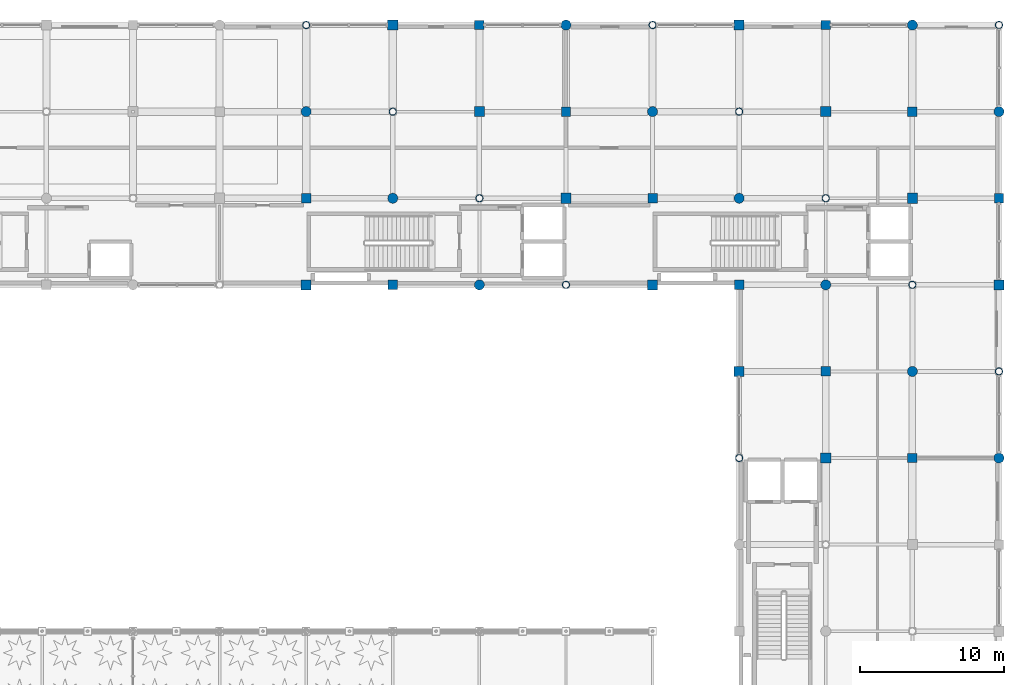
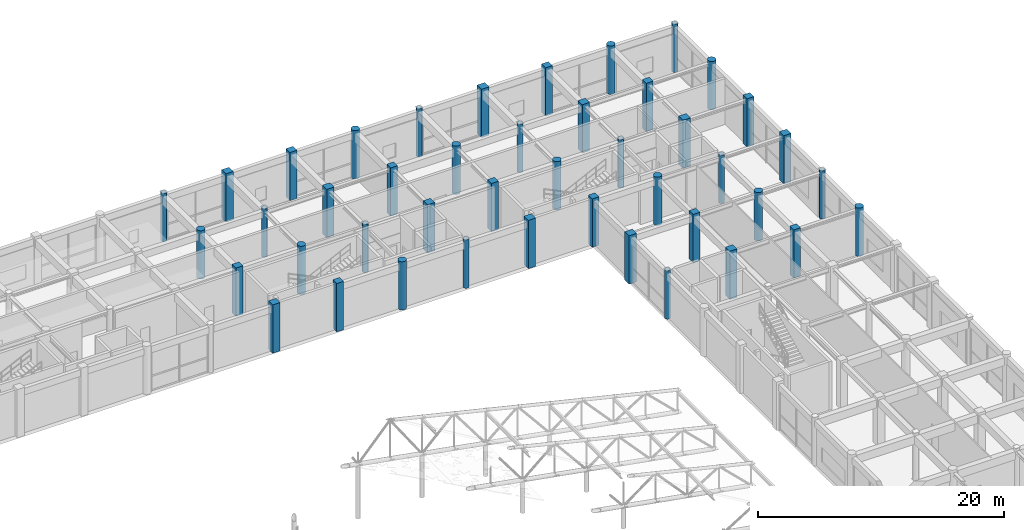
# One storey, part 15 of 112: 44 columns.
"""IFC4 building model written with IfcOpenShell, lengths in metres."""

from ifc_helpers import new_model, si_unit, direction, frame, origin, origin_2d, place, context, subcontext, project, spatial, rectangle, circle, hollow_circle, extrude, material, material_profile, profile_set, type_object, element, save


model = new_model("IFC4")

# Units and contexts
model_context = context("Model", 3, precision=1e-05, world=origin(), true_north=direction((0.0, 1.0)))
body_context = subcontext(model_context, "Body", "Model", "MODEL_VIEW")
ifc_project = project(units=[si_unit("LENGTHUNIT", "METRE"), si_unit("AREAUNIT", "SQUARE_METRE"), si_unit("VOLUMEUNIT", "CUBIC_METRE"), si_unit("PLANEANGLEUNIT", "RADIAN"), si_unit("MASSUNIT", "GRAM", prefix="KILO"), si_unit("THERMODYNAMICTEMPERATUREUNIT", "KELVIN"), si_unit("POWERUNIT", "WATT")], contexts=[model_context])

# Site, building, storey
site_placement = place(None, origin())
site = spatial("IfcSite", under=ifc_project, at=site_placement, CompositionType="ELEMENT")
building_placement = place(site_placement, origin())
building = spatial("IfcBuilding", under=site, at=building_placement, Name="Phaisarnlok Congress Hotel", CompositionType="ELEMENT")
storey_placement = place(building_placement, frame((0.0, 0.0, 19.800048828125)))
storey = spatial("IfcBuildingStorey", under=building, at=storey_placement, Name="L04", CompositionType="ELEMENT", Elevation=19.800048828125)

# Columns
ifc_material_1 = material(Name="Concrete C50/60", Category="concrete")
ifc_material_profile_1 = material_profile(ifc_material_1, rectangle(XDim=0.64990234375, YDim=0.64990234375, at=origin_2d()), Name="RC 650x650")
ifc_profile_set_1 = profile_set([ifc_material_profile_1], Name="Concrete C50/60")
column_type_1 = type_object("IfcColumnType", Name="COL-RC-650", PredefinedType="COLUMN", material=ifc_profile_set_1)
for number, where, z_axis, x_axis, name in (
    (1, (132.0, 114.0, 0.0), (0.0, 0.0, 1.0), (1.0, 0.0, 0.0), "Column C-04 (L04)"),
    (2, (138.0, 108.0, 0.0), (0.0, 0.0, 1.0), (1.0, 0.0, 0.0), "Column C-04 (L04)"),
    (3, (150.0, 120.0, 0.0), (0.0, 0.0, 1.0), (1.0, 0.0, 0.0), "Column C-04 (L04)"),
    (4, (156.0, 114.0, 0.0), (0.0, 0.0, 1.0), (1.0, 0.0, 0.0), "Column C-04 (L04)"),
    (5, (162.0, 108.0, 0.0), (0.0, 0.0, 1.0), (1.0, 0.0, 0.0), "Column C-04 (L04)"),
    (6, (168.0, 102.0, 0.0), (0.0, 0.0, 1.0), (1.0, 0.0, 0.0), "Column C-04 (L04)"),
    (7, (174.0, 96.0, 0.0), (0.0, 0.0, 1.0), (1.0, 0.0, 0.0), "Column C-04 (L04)"),
    (8, (174.0, 120.0, 0.0), (0.0, 0.0, 1.0), (1.0, 0.0, 0.0), "Column C-04 (L04)"),
):
    element("IfcColumn", number, at=place(storey_placement, frame(where, z_axis=z_axis, x_axis=x_axis)), inside=storey, type_object=column_type_1, Name=name, PredefinedType="COLUMN", context=body_context, shape_type="SweptSolid", body=[
        extrude(rectangle(XDim=0.64990234375, YDim=0.64990234375, at=origin_2d()), origin(), (0.0, 0.0, 1.0), 4.800048828125),
    ])
ifc_material_profile_2 = material_profile(ifc_material_1, rectangle(XDim=0.64990234375, YDim=0.64990234375, at=origin_2d()), Name="RC 650x650")
ifc_profile_set_2 = profile_set([ifc_material_profile_2], Name="Concrete C50/60")
column_type_2 = type_object("IfcColumnType", Name="COL-RC-650-EXT", PredefinedType="COLUMN", material=ifc_profile_set_2)
for number, where, z_axis, x_axis, name in (
    (9, (144.0, 126.0, 0.0), (0.0, 0.0, 1.0), (1.0, 0.0, 0.0), "Column C-04E (L04)"),
    (10, (168.0, 126.0, 0.0), (0.0, 0.0, 1.0), (1.0, 0.0, 0.0), "Column C-04E (L04)"),
    (11, (180.0, 114.0, 0.0), (0.0, 0.0, 1.0), (1.0, 0.0, 0.0), "Column C-04E (L04)"),
):
    element("IfcColumn", number, at=place(storey_placement, frame(where, z_axis=z_axis, x_axis=x_axis)), inside=storey, type_object=column_type_2, Name=name, PredefinedType="COLUMN", context=body_context, shape_type="SweptSolid", body=[
        extrude(rectangle(XDim=0.64990234375, YDim=0.64990234375, at=origin_2d()), origin(), (0.0, 0.0, 1.0), 4.800048828125),
    ])
ifc_material_profile_3 = material_profile(ifc_material_1, rectangle(XDim=0.699951171875, YDim=0.699951171875, at=origin_2d()), Name="RC 700x700")
ifc_profile_set_3 = profile_set([ifc_material_profile_3], Name="Concrete C50/60")
column_type_3 = type_object("IfcColumnType", Name="COL-RC-700", PredefinedType="COLUMN", material=ifc_profile_set_3)
for number, where, z_axis, x_axis, name in (
    (12, (132.0, 108.0, 0.0), (0.0, 0.0, 1.0), (1.0, 0.0, 0.0), "Column C-05 (L04)"),
    (13, (144.0, 120.0, 0.0), (0.0, 0.0, 1.0), (1.0, 0.0, 0.0), "Column C-05 (L04)"),
    (14, (150.0, 114.0, 0.0), (0.0, 0.0, 1.0), (1.0, 0.0, 0.0), "Column C-05 (L04)"),
    (15, (156.0, 108.0, 0.0), (0.0, 0.0, 1.0), (1.0, 0.0, 0.0), "Column C-05 (L04)"),
    (16, (162.0, 102.0, 0.0), (0.0, 0.0, 1.0), (1.0, 0.0, 0.0), "Column C-05 (L04)"),
    (17, (168.0, 96.0, 0.0), (0.0, 0.0, 1.0), (1.0, 0.0, 0.0), "Column C-05 (L04)"),
    (18, (168.0, 120.0, 0.0), (0.0, 0.0, 1.0), (1.0, 0.0, 0.0), "Column C-05 (L04)"),
    (19, (174.0, 114.0, 0.0), (0.0, 0.0, 1.0), (1.0, 0.0, 0.0), "Column C-05 (L04)"),
):
    element("IfcColumn", number, at=place(storey_placement, frame(where, z_axis=z_axis, x_axis=x_axis)), inside=storey, type_object=column_type_3, Name=name, PredefinedType="COLUMN", context=body_context, shape_type="SweptSolid", body=[
        extrude(rectangle(XDim=0.699951171875, YDim=0.699951171875, at=origin_2d()), origin(), (0.0, 0.0, 1.0), 4.800048828125),
    ])
ifc_material_profile_4 = material_profile(ifc_material_1, rectangle(XDim=0.699951171875, YDim=0.699951171875, at=origin_2d()), Name="RC 700x700")
ifc_profile_set_4 = profile_set([ifc_material_profile_4], Name="Concrete C50/60")
column_type_4 = type_object("IfcColumnType", Name="COL-RC-700-EXT", PredefinedType="COLUMN", material=ifc_profile_set_4)
for number, where, z_axis, x_axis, name in (
    (20, (138.0, 126.0, 0.0), (0.0, 0.0, 1.0), (1.0, 0.0, 0.0), "Column C-05E (L04)"),
    (21, (162.0, 126.0, 0.0), (0.0, 0.0, 1.0), (1.0, 0.0, 0.0), "Column C-05E (L04)"),
    (22, (180.0, 108.0, 0.0), (0.0, 0.0, 1.0), (1.0, 0.0, 0.0), "Column C-05E (L04)"),
):
    element("IfcColumn", number, at=place(storey_placement, frame(where, z_axis=z_axis, x_axis=x_axis)), inside=storey, type_object=column_type_4, Name=name, PredefinedType="COLUMN", context=body_context, shape_type="SweptSolid", body=[
        extrude(rectangle(XDim=0.699951171875, YDim=0.699951171875, at=origin_2d()), origin(), (0.0, 0.0, 1.0), 4.800048828125),
    ])
ifc_material_profile_5 = material_profile(ifc_material_1, circle(Radius=0.35009765625, at=origin_2d()), Name="RCC D700")
ifc_profile_set_5 = profile_set([ifc_material_profile_5], Name="Concrete C50/60")
column_type_5 = type_object("IfcColumnType", Name="COL-RCC-700", PredefinedType="COLUMN", material=ifc_profile_set_5)
for number, where, z_axis, x_axis, name in (
    (23, (132.0, 120.0, 0.0), (0.0, 0.0, 1.0), (1.0, 0.0, 0.0), "Column C-13 (L04)"),
    (24, (138.0, 114.0, 0.0), (0.0, 0.0, 1.0), (1.0, 0.0, 0.0), "Column C-13 (L04)"),
    (25, (144.0, 108.0, 0.0), (0.0, 0.0, 1.0), (1.0, 0.0, 0.0), "Column C-13 (L04)"),
    (26, (156.0, 120.0, 0.0), (0.0, 0.0, 1.0), (1.0, 0.0, 0.0), "Column C-13 (L04)"),
    (27, (162.0, 114.0, 0.0), (0.0, 0.0, 1.0), (1.0, 0.0, 0.0), "Column C-13 (L04)"),
    (28, (168.0, 108.0, 0.0), (0.0, 0.0, 1.0), (1.0, 0.0, 0.0), "Column C-13 (L04)"),
    (29, (174.0, 102.0, 0.0), (0.0, 0.0, 1.0), (1.0, 0.0, 0.0), "Column C-13 (L04)"),
):
    element("IfcColumn", number, at=place(storey_placement, frame(where, z_axis=z_axis, x_axis=x_axis)), inside=storey, type_object=column_type_5, Name=name, PredefinedType="COLUMN", context=body_context, shape_type="SweptSolid", body=[
        extrude(circle(Radius=0.35009765625, at=origin_2d()), origin(), (0.0, 0.0, 1.0), 4.800048828125),
    ])
ifc_material_profile_6 = material_profile(ifc_material_1, circle(Radius=0.35009765625, at=origin_2d()), Name="RCC D700")
ifc_profile_set_6 = profile_set([ifc_material_profile_6], Name="Concrete C50/60")
column_type_6 = type_object("IfcColumnType", Name="COL-RCC-700-EXT", PredefinedType="COLUMN", material=ifc_profile_set_6)
for number, where, z_axis, x_axis, name in (
    (30, (150.0, 126.0, 0.0), (0.0, 0.0, 1.0), (1.0, 0.0, 0.0), "Column C-13E (L04)"),
    (31, (174.0, 126.0, 0.0), (0.0, 0.0, 1.0), (1.0, 0.0, 0.0), "Column C-13E (L04)"),
    (32, (180.0, 96.0, 0.0), (0.0, 0.0, 1.0), (1.0, 0.0, 0.0), "Column C-13E (L04)"),
    (33, (180.0, 120.0, 0.0), (0.0, 0.0, 1.0), (1.0, 0.0, 0.0), "Column C-13E (L04)"),
):
    element("IfcColumn", number, at=place(storey_placement, frame(where, z_axis=z_axis, x_axis=x_axis)), inside=storey, type_object=column_type_6, Name=name, PredefinedType="COLUMN", context=body_context, shape_type="SweptSolid", body=[
        extrude(circle(Radius=0.35009765625, at=origin_2d()), origin(), (0.0, 0.0, 1.0), 4.800048828125),
    ])
ifc_material_2 = material(Name="Steel S355", Category="steel")
ifc_material_profile_7 = material_profile(ifc_material_2, hollow_circle(Radius=0.25390625, WallThickness=0.02490234375, at=origin_2d()), Name="CHS 508x25")
ifc_profile_set_7 = profile_set([ifc_material_profile_7], Name="Steel S355")
column_type_7 = type_object("IfcColumnType", Name="COL-STL-CHS508", PredefinedType="COLUMN", material=ifc_profile_set_7)
for number, where, z_axis, x_axis, name in (
    (34, (138.0, 120.0, 0.0), (0.0, 0.0, 1.0), (1.0, 0.0, 0.0), "Column SC-03 (L04)"),
    (35, (144.0, 114.0, 0.0), (0.0, 0.0, 1.0), (1.0, 0.0, 0.0), "Column SC-03 (L04)"),
    (36, (150.0, 108.0, 0.0), (0.0, 0.0, 1.0), (1.0, 0.0, 0.0), "Column SC-03 (L04)"),
    (37, (162.0, 96.0, 0.0), (0.0, 0.0, 1.0), (1.0, 0.0, 0.0), "Column SC-03 (L04)"),
    (38, (162.0, 120.0, 0.0), (0.0, 0.0, 1.0), (1.0, 0.0, 0.0), "Column SC-03 (L04)"),
    (39, (168.0, 114.0, 0.0), (0.0, 0.0, 1.0), (1.0, 0.0, 0.0), "Column SC-03 (L04)"),
    (40, (174.0, 108.0, 0.0), (0.0, 0.0, 1.0), (1.0, 0.0, 0.0), "Column SC-03 (L04)"),
):
    element("IfcColumn", number, at=place(storey_placement, frame(where, z_axis=z_axis, x_axis=x_axis)), inside=storey, type_object=column_type_7, Name=name, PredefinedType="COLUMN", context=body_context, shape_type="SweptSolid", body=[
        extrude(hollow_circle(Radius=0.25390625, WallThickness=0.02490234375, at=origin_2d()), origin(), (0.0, 0.0, 1.0), 4.800048828125),
    ])
ifc_material_profile_8 = material_profile(ifc_material_2, hollow_circle(Radius=0.25390625, WallThickness=0.02490234375, at=origin_2d()), Name="CHS 508x25")
ifc_profile_set_8 = profile_set([ifc_material_profile_8], Name="Steel S355")
column_type_8 = type_object("IfcColumnType", Name="COL-STL-CHS508-EXT", PredefinedType="COLUMN", material=ifc_profile_set_8)
for number, where, z_axis, x_axis, name in (
    (41, (132.0, 126.0, 0.0), (0.0, 0.0, 1.0), (1.0, 0.0, 0.0), "Column SC-03E (L04)"),
    (42, (156.0, 126.0, 0.0), (0.0, 0.0, 1.0), (1.0, 0.0, 0.0), "Column SC-03E (L04)"),
    (43, (180.0, 102.0, 0.0), (0.0, 0.0, 1.0), (1.0, 0.0, 0.0), "Column SC-03E (L04)"),
    (44, (180.0, 126.0, 0.0), (0.0, 0.0, 1.0), (1.0, 0.0, 0.0), "Column SC-03E (L04)"),
):
    element("IfcColumn", number, at=place(storey_placement, frame(where, z_axis=z_axis, x_axis=x_axis)), inside=storey, type_object=column_type_8, Name=name, PredefinedType="COLUMN", context=body_context, shape_type="SweptSolid", body=[
        extrude(hollow_circle(Radius=0.25390625, WallThickness=0.02490234375, at=origin_2d()), origin(), (0.0, 0.0, 1.0), 4.800048828125),
    ])

save(model, "model.ifc")
